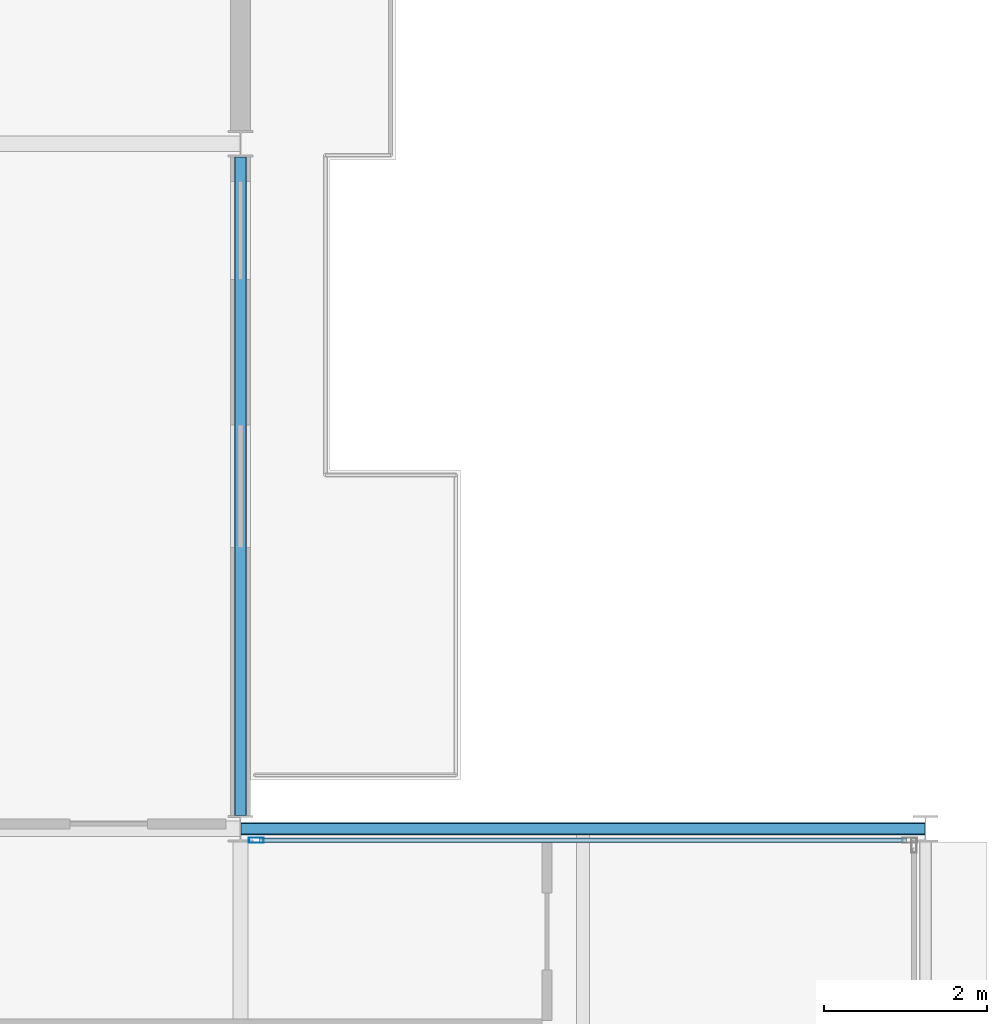
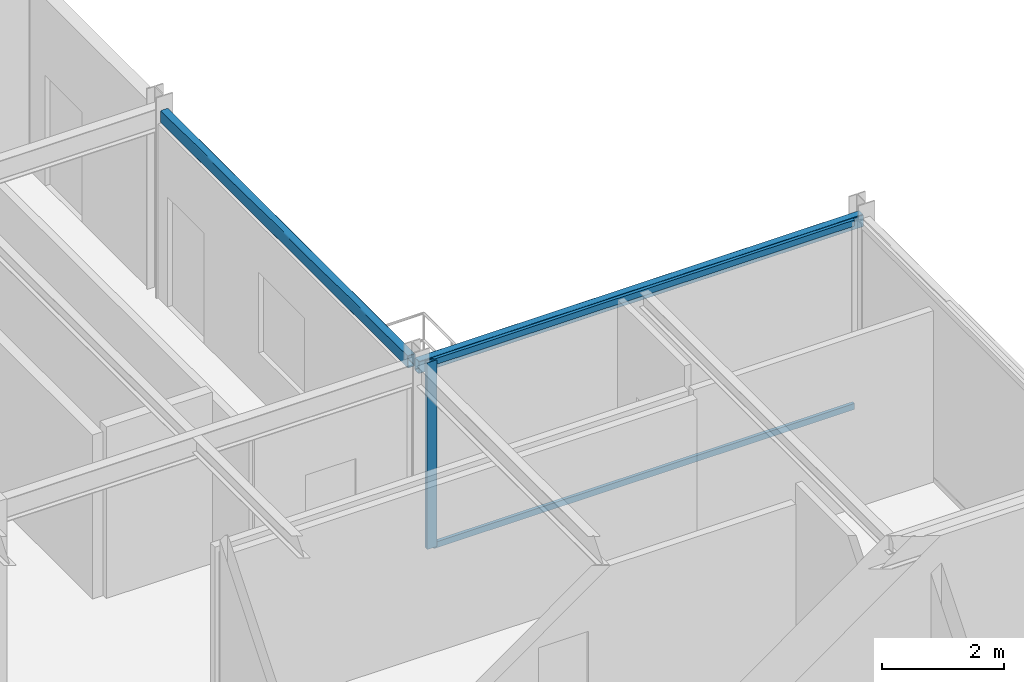
# One storey, part 13 of 25: 3 members, 2 beams, 1 element without a shape of its own.
"""IFC4 building model written with IfcOpenShell, lengths in metres."""

from ifc_helpers import new_model, si_unit, direction, frame, origin, origin_2d, place, context, subcontext, project, spatial, hollow_rectangle, extrude, material, layer, layer_set, material_profile, profile_set, type_object, element, aggregate, save


model = new_model("IFC4")

# Units and contexts
model_context = context("Model", 3, precision=1e-05, world=origin(), true_north=direction((0.0, 1.0)))
body_context = subcontext(model_context, "Body", "Model", "MODEL_VIEW")
ifc_project = project(units=[si_unit("LENGTHUNIT", "METRE"), si_unit("AREAUNIT", "SQUARE_METRE"), si_unit("VOLUMEUNIT", "CUBIC_METRE"), si_unit("PLANEANGLEUNIT", "RADIAN"), si_unit("MASSUNIT", "GRAM", prefix="KILO")], contexts=[model_context])

# Site, building, storey
site_placement = place(None, origin())
site = spatial("IfcSite", under=ifc_project, at=site_placement, CompositionType="ELEMENT")
building_placement = place(site_placement, origin())
building = spatial("IfcBuilding", under=site, at=building_placement, Name="Nerrivon Quay Data Exchange", CompositionType="ELEMENT")
storey_placement = place(building_placement, frame((0.0, 0.0, 290.199951171875)))
storey = spatial("IfcBuildingStorey", under=building, at=storey_placement, Name="L69", CompositionType="ELEMENT", Elevation=290.199951171875)

# Beams
ifc_material_1 = material(Name="Steel Grade C350L0 (350 MPa)", Category="steel")
ifc_material_profile_1 = material_profile(ifc_material_1, hollow_rectangle(XDim=0.14990234375, YDim=0.25, WallThickness=0.009033203125, InnerFilletRadius=0.013427734375, OuterFilletRadius=0.0224609375, at=origin_2d()), Name="250x150x9.0RHS")
ifc_profile_set_1 = profile_set([ifc_material_profile_1], Name="Steel Grade C350L0 (350 MPa)")
beam_type = type_object("IfcBeamType", Name="BM-SP4-250x150RHS", PredefinedType="SPANDREL", material=ifc_profile_set_1)
beam_1_placement = place(storey_placement, frame((25.2080078125, 25.199951171875, 3.60009765625), z_axis=(1.0, 0.0, 0.0), x_axis=(0.0, 1.0, 0.0)))
element("IfcBeam", 1, at=beam_1_placement, inside=storey, type_object=beam_type, Name="L69 EW Girder Y=25.2 (25.2..33.6)", PredefinedType="SPANDREL", context=body_context, shape_type="SweptSolid", body=[
    extrude(hollow_rectangle(XDim=0.14990234375, YDim=0.25, WallThickness=0.009033203125, InnerFilletRadius=0.013427734375, OuterFilletRadius=0.0224609375, at=origin_2d()), origin(), (0.0, 0.0, 1.0), 8.38427734375),
])
beam_2_placement = place(storey_placement, frame((25.199951171875, 25.363525390625, 3.60009765625), z_axis=(0.0, 1.0, 0.0), x_axis=(-1.0, 0.0, 0.0)))
element("IfcBeam", 2, at=beam_2_placement, inside=storey, type_object=beam_type, Name="L69 NS Girder X=25.2 (25.2..33.6)", PredefinedType="SPANDREL", context=body_context, shape_type="SweptSolid", body=[
    extrude(hollow_rectangle(XDim=0.14990234375, YDim=0.25, WallThickness=0.009033203125, InnerFilletRadius=0.013427734375, OuterFilletRadius=0.0224609375, at=origin_2d()), origin(), (0.0, 0.0, 1.0), 8.072998046875),
])

# Curtain wall, members
ifc_material_2 = material(Name="Anodised aluminium 6063-T6", Category="aluminium")
ifc_layer = layer(ifc_material_2, 0.195068359375)
ifc_layer_set = layer_set([ifc_layer], Name="Anodised aluminium 6063-T6")
curtain_wall_type = type_object("IfcCurtainWallType", Name="CW-SYS-06", PredefinedType="NOTDEFINED", material=ifc_layer_set)
curtain_wall_placement = place(storey_placement, origin())
curtain_wall = element("IfcCurtainWall", 3, at=curtain_wall_placement, inside=storey, type_object=curtain_wall_type, Name="L69 Unitised Curtain Wall 21", PredefinedType="NOTDEFINED")
ifc_material_profile_2 = material_profile(ifc_material_2, hollow_rectangle(XDim=0.06494140625, YDim=0.179931640625, WallThickness=0.00341796875, at=origin_2d()), Name="ALU-MULL-180x65")
ifc_profile_set_2 = profile_set([ifc_material_profile_2], Name="Anodised aluminium 6063-T6")
member_type_1 = type_object("IfcMemberType", Name="CWM-180x65", PredefinedType="MULLION", material=ifc_profile_set_2)
member_1_placement = place(storey_placement, frame((25.39306640625, 25.06005859375, 0.0), z_axis=(0.0, 0.0, 1.0), x_axis=(0.0, 1.0, 0.0)))
member_1 = element("IfcMember", 4, at=member_1_placement, type_object=member_type_1, Name="CW06 mullion 1", PredefinedType="MULLION", context=body_context, shape_type="SweptSolid", body=[
    extrude(hollow_rectangle(XDim=0.06494140625, YDim=0.179931640625, WallThickness=0.00341796875, at=origin_2d()), origin(), (0.0, 0.0, 1.0), 3.72509765625),
])
ifc_material_profile_3 = material_profile(ifc_material_2, hollow_rectangle(XDim=0.06005859375, YDim=0.1201171875, WallThickness=0.003173828125, at=origin_2d()), Name="ALU-TRAN-120x60")
ifc_profile_set_3 = profile_set([ifc_material_profile_3], Name="Anodised aluminium 6063-T6")
member_type_2 = type_object("IfcMemberType", Name="CWT-120x60", PredefinedType="USERDEFINED", material=ifc_profile_set_3)
member_2_placement = place(storey_placement, frame((25.430419921875, 25.06005859375, 0.032470703125), z_axis=(1.0, 0.0, 0.0), x_axis=(0.0, 1.0, 0.0)))
member_2 = element("IfcMember", 5, at=member_2_placement, type_object=member_type_2, Name="CW06 transom 1.1", ObjectType="TRANSOM", PredefinedType="USERDEFINED", context=body_context, shape_type="SweptSolid", body=[
    extrude(hollow_rectangle(XDim=0.06005859375, YDim=0.1201171875, WallThickness=0.003173828125, at=origin_2d()), origin(), (0.0, 0.0, 1.0), 7.93896484375),
])
member_3_placement = place(storey_placement, frame((25.430419921875, 25.06005859375, 3.692626953125), z_axis=(1.0, 0.0, 0.0), x_axis=(0.0, 1.0, 0.0)))
member_3 = element("IfcMember", 6, at=member_3_placement, type_object=member_type_2, Name="CW06 transom 1.2", ObjectType="TRANSOM", PredefinedType="USERDEFINED", context=body_context, shape_type="SweptSolid", body=[
    extrude(hollow_rectangle(XDim=0.06005859375, YDim=0.1201171875, WallThickness=0.003173828125, at=origin_2d()), origin(), (0.0, 0.0, 1.0), 7.93896484375),
])
aggregate(curtain_wall, [member_1, member_2, member_3])

save(model, "model.ifc")
